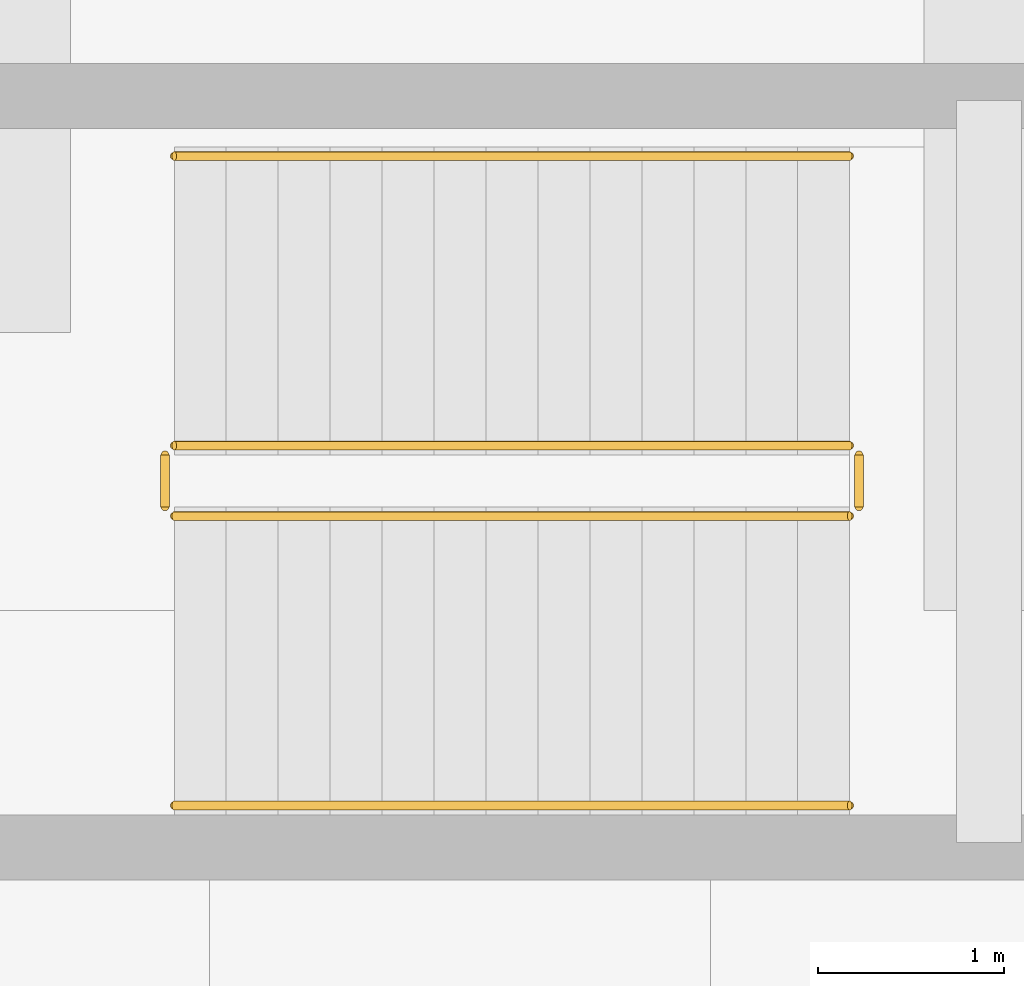
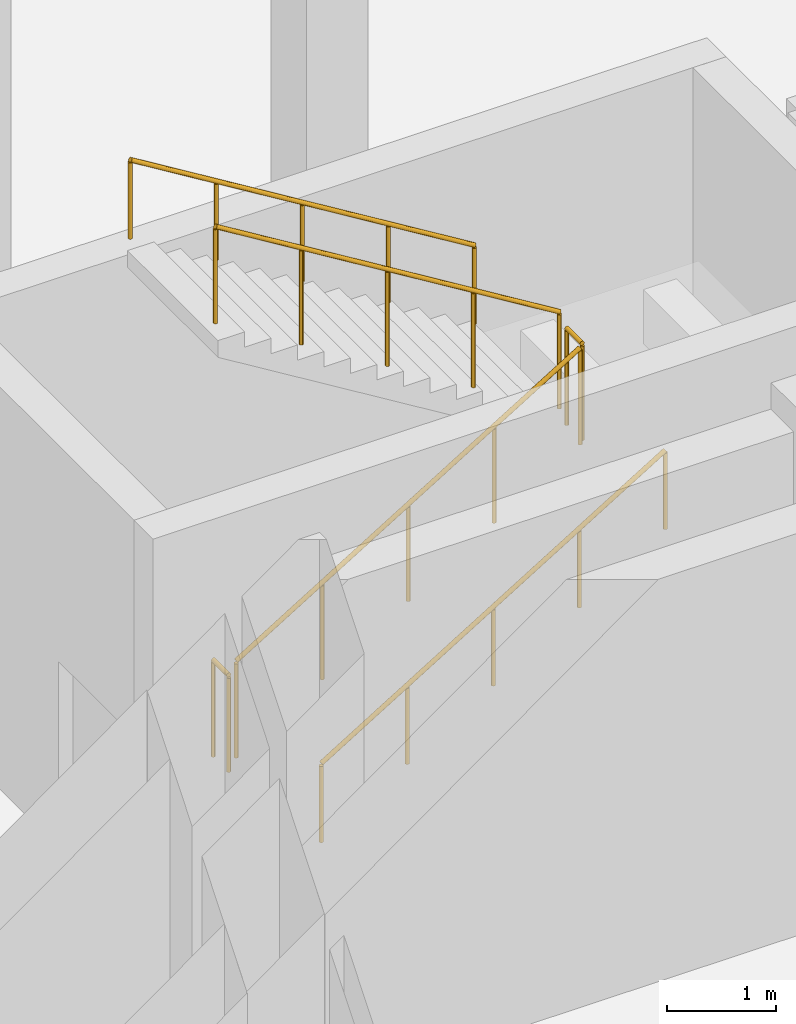
# One storey, part 28 of 29: 6 railings.
"""IFC4 building model written with IfcOpenShell, lengths in metres."""

import ifcopenshell
import ifcopenshell.guid

model = None  # the IFC model being written
_history = None  # IfcOwnerHistory: only IFC2X3 demands one
_inside = {}  # id of a spatial element -> (the spatial element, [elements in it])
_under = {}  # id of a project, library or spatial element -> (it, [spatial elements below it])
_declared = {}  # id of a project -> (the project, [libraries it declares])
_typed = {}  # id of a type object -> (the type object, [elements of that type])
_made_of = {}  # id of a material, layer set ... -> (it, [elements and type objects made of it])


def new_model(schema):
    """Start an empty IFC model of exactly this schema.

    Asked for "IFC4X3", IfcOpenShell would pick the latest addendum, in which some entities
    have other attributes; the version numbers below select the first issue.
    IFC2X3 requires an IfcOwnerHistory on every rooted entity: one is made here for all.
    """
    global model, _history
    if schema == "IFC4X3":
        model = ifcopenshell.file(schema_version=(4, 3, 0, 0))
    else:
        model = ifcopenshell.file(schema=schema)
    _inside.clear()
    _under.clear()
    _declared.clear()
    _typed.clear()
    _made_of.clear()
    _history = None
    if model.schema == "IFC2X3":
        org = make("IfcOrganization", Name="unknown")
        user = make(
            "IfcPersonAndOrganization",
            ThePerson=make("IfcPerson", FamilyName="unknown"),
            TheOrganization=org,
        )
        app = make(
            "IfcApplication",
            ApplicationDeveloper=org,
            Version="unknown",
            ApplicationFullName="unknown",
            ApplicationIdentifier="unknown",
        )
        _history = make(
            "IfcOwnerHistory",
            OwningUser=user,
            OwningApplication=app,
            ChangeAction="ADDED",
            CreationDate=0,
        )
    return model


def make(cls, **values):
    """One entity of the class cls with the attributes given. An attribute that is None is left unset."""
    return model.create_entity(
        cls, **{name: value for name, value in values.items() if value is not None}
    )


def rooted(cls, **values):
    """An entity with a GlobalId (a new one), such as an element, a storey or a relation."""
    return make(cls, GlobalId=ifcopenshell.guid.new(), OwnerHistory=_history, **values)


def si_unit(unit_type, name, prefix=None):
    """IfcSIUnit, for example si_unit("LENGTHUNIT", "METRE", prefix="MILLI")."""
    return make("IfcSIUnit", UnitType=unit_type, Prefix=prefix, Name=name)


def assignment(units):
    """IfcUnitAssignment: the units of a project."""
    return None if units is None else make("IfcUnitAssignment", Units=units)


def point(xyz):
    """IfcCartesianPoint."""
    return None if xyz is None else make("IfcCartesianPoint", Coordinates=xyz)


def direction(xyz):
    """IfcDirection."""
    return None if xyz is None else make("IfcDirection", DirectionRatios=xyz)


def frame(location, z_axis=None, x_axis=None):
    """IfcAxis2Placement3D, a coordinate frame: its origin and axes. An axis left out is left unset."""
    return make(
        "IfcAxis2Placement3D",
        Location=point(location),
        Axis=direction(z_axis),
        RefDirection=direction(x_axis),
    )


def frame_2d(location, x_axis=None):
    """IfcAxis2Placement2D, a coordinate frame in the plane: its origin and x axis."""
    return make(
        "IfcAxis2Placement2D", Location=point(location), RefDirection=direction(x_axis)
    )


def origin():
    """The frame at (0, 0, 0) with its axes left unset."""
    return frame((0.0, 0.0, 0.0))


def origin_2d():
    """The frame at (0, 0) in the plane with its x axis left unset."""
    return frame_2d((0.0, 0.0))


def place(relative_to, where):
    """IfcLocalPlacement: puts the frame where relative to a parent placement (None: the world)."""
    return make(
        "IfcLocalPlacement", PlacementRelTo=relative_to, RelativePlacement=where
    )


def context(
    kind, dimensions, precision=None, world=None, true_north=None, identifier=None
):
    """IfcGeometricRepresentationContext, for example the 3D "Model" context."""
    return make(
        "IfcGeometricRepresentationContext",
        ContextIdentifier=identifier,
        ContextType=kind,
        CoordinateSpaceDimension=dimensions,
        Precision=precision,
        WorldCoordinateSystem=world,
        TrueNorth=true_north,
    )


def subcontext(parent, identifier, kind, view, scale=None):
    """IfcGeometricRepresentationSubContext, for example "Body" below "Model"."""
    return make(
        "IfcGeometricRepresentationSubContext",
        ContextIdentifier=identifier,
        ContextType=kind,
        ParentContext=parent,
        TargetScale=scale,
        TargetView=view,
    )


def project(units=None, contexts=None):
    """IfcProject with its units and contexts."""
    return rooted(
        "IfcProject",
        Name="project",
        RepresentationContexts=contexts,
        UnitsInContext=assignment(units),
    )


def spatial(cls, under=None, at=None, **own):
    """A site, building, storey or space (cls), placed at a placement, below another one or the project."""
    s = rooted(cls, ObjectPlacement=at, **own)
    if under is not None:
        _under.setdefault(under.id(), (under, []))[1].append(s)
    return s


def profile(cls, at=None, kind="AREA", **sizes):
    """A parametric profile (cls). Its sizes go by their IFC names, for example OverallWidth=200.0."""
    return make(cls, ProfileType=kind, Position=at, **sizes)


def circle(**sizes):
    """IfcCircleProfileDef."""
    return profile("IfcCircleProfileDef", **sizes)


def extrude(swept, where, along, depth):
    """IfcExtrudedAreaSolid: the profile swept, set in the frame where, extruded along a direction by depth."""
    return make(
        "IfcExtrudedAreaSolid",
        SweptArea=swept,
        Position=where,
        ExtrudedDirection=direction(along),
        Depth=depth,
    )


def shape(context_of_items, identifier, shape_type, items):
    """IfcShapeRepresentation: the items that make up one representation, for example the "Body"."""
    return make(
        "IfcShapeRepresentation",
        ContextOfItems=context_of_items,
        RepresentationIdentifier=identifier,
        RepresentationType=shape_type,
        Items=items,
    )


def material(Name=None, Category=None):
    """IfcMaterial."""
    return make("IfcMaterial", Name=Name, Category=Category)


def made_of(thing, what):
    """Note that an element or type object is made of a material, layer set ...; save() writes the relation."""
    if what is not None:
        _made_of.setdefault(what.id(), (what, []))[1].append(thing)
    return thing


def type_object(cls, material=None, **own):
    """A type object (cls), such as IfcWallType, which elements share."""
    return made_of(rooted(cls, **own), material)


def element(
    cls,
    number,
    at=None,
    inside=None,
    cuts=None,
    type_object=None,
    material=None,
    context=None,
    identifier="Body",
    shape_type=None,
    held_by="IfcProductDefinitionShape",
    body=None,
    shapes=None,
    **own,
):
    """One element of the class cls, such as IfcWall. Its Tag is "e" and its number.

    at: its placement. inside: the storey or other place that contains it. cuts: it is an
    opening in that element (IfcRelVoidsElement). A single representation is given by context,
    identifier, shape_type and body (its items); several are given by shapes. held_by: the class
    of the entity that holds the representations. save() writes the other relations.
    """
    e = rooted(cls, Tag="e%d" % number, ObjectPlacement=at, **own)
    if body is not None:
        shapes = [shape(context, identifier, shape_type, body)]
    if shapes is not None:
        e.Representation = make(held_by, Representations=shapes)
    if inside is not None:
        _inside.setdefault(inside.id(), (inside, []))[1].append(e)
    if cuts is not None:
        rooted(
            "IfcRelVoidsElement", RelatingBuildingElement=cuts, RelatedOpeningElement=e
        )
    if type_object is not None:
        _typed.setdefault(type_object.id(), (type_object, []))[1].append(e)
    return made_of(e, material)


def aggregate(whole, parts):
    """IfcRelAggregates: a whole, such as a stair, and the parts it consists of."""
    return rooted("IfcRelAggregates", RelatingObject=whole, RelatedObjects=parts)


def save(model, path):
    """Write the relations noted so far, then the file.

    IfcRelAggregates (storeys below a building ...), IfcRelContainedInSpatialStructure (elements
    in a storey), IfcRelDefinesByType, IfcRelAssociatesMaterial and IfcRelDeclares: one each for
    every whole, place, type object, material and project.
    """
    for whole, parts in _under.values():
        aggregate(whole, parts)
    for where, things in _inside.values():
        rooted(
            "IfcRelContainedInSpatialStructure",
            RelatedElements=things,
            RelatingStructure=where,
        )
    for kind, things in _typed.values():
        rooted("IfcRelDefinesByType", RelatedObjects=things, RelatingType=kind)
    for what, things in _made_of.values():
        rooted("IfcRelAssociatesMaterial", RelatedObjects=things, RelatingMaterial=what)
    for by, libraries in _declared.values():
        rooted("IfcRelDeclares", RelatingContext=by, RelatedDefinitions=libraries)
    model.write(path)


model = new_model("IFC4")

# Units and contexts
model_context = context("Model", 3, precision=1e-05, world=origin(), true_north=direction((0.0, 1.0)))
body_context = subcontext(model_context, "Body", "Model", "MODEL_VIEW")
ifc_project = project(units=[si_unit("LENGTHUNIT", "METRE"), si_unit("AREAUNIT", "SQUARE_METRE"), si_unit("VOLUMEUNIT", "CUBIC_METRE"), si_unit("PLANEANGLEUNIT", "RADIAN"), si_unit("MASSUNIT", "GRAM", prefix="KILO")], contexts=[model_context])

# Site, building, storey
site_placement = place(None, origin())
site = spatial("IfcSite", under=ifc_project, at=site_placement, CompositionType="ELEMENT")
building_placement = place(site_placement, origin())
building = spatial("IfcBuilding", under=site, at=building_placement, Name="Kelarvand Opera House", CompositionType="ELEMENT")
storey_placement = place(building_placement, frame((0.0, 0.0, -9.60009765625)))
storey = spatial("IfcBuildingStorey", under=building, at=storey_placement, Name="B2", CompositionType="ELEMENT", Elevation=-9.60009765625)

# Railings
ifc_material_1 = material(Name="Brushed bronze tubular rail")
railing_type_1 = type_object("IfcRailingType", Name="Brushed Bronze Stair Wall Handrail 900", PredefinedType="HANDRAIL", material=ifc_material_1)
railing_1_placement = place(storey_placement, frame((117.659912109375, 89.050048828125, 0.171630859375)))
element("IfcRailing", 1, at=railing_1_placement, inside=storey, type_object=railing_type_1, Name="B2 ST-07 stair handrail 1", PredefinedType="HANDRAIL", context=body_context, shape_type="SweptSolid", body=[
    extrude(circle(Radius=0.02392578125, at=origin_2d()), frame((0.0, 0.0, 0.8759765625), z_axis=(0.852865859571, 0.0, 0.52213008492), x_axis=(0.0, 1.0, 0.0)), (0.0, 0.0, 1.0), 4.26806640625),
    extrude(circle(Radius=0.02099609375, at=origin_2d()), origin(), (0.0, 0.0, 1.0), 0.851806640625),
    extrude(circle(Radius=0.02099609375, at=origin_2d()), frame((0.91015625, 0.0, 0.55712890625)), (0.0, 0.0, 1.0), 0.851806640625),
    extrude(circle(Radius=0.02099609375, at=origin_2d()), frame((1.820068359375, 0.0, 1.1142578125)), (0.0, 0.0, 1.0), 0.851806640625),
    extrude(circle(Radius=0.02099609375, at=origin_2d()), frame((2.72998046875, 0.0, 1.67138671875)), (0.0, 0.0, 1.0), 0.851806640625),
    extrude(circle(Radius=0.02099609375, at=origin_2d()), frame((3.64013671875, 0.0, 2.228515625)), (0.0, 0.0, 1.0), 0.851806640625),
])
railing_2_placement = place(storey_placement, frame((121.300048828125, 92.550048828125, 2.571533203125)))
element("IfcRailing", 2, at=railing_2_placement, inside=storey, type_object=railing_type_1, Name="B2 ST-07 stair handrail 2", PredefinedType="HANDRAIL", context=body_context, shape_type="SweptSolid", body=[
    extrude(circle(Radius=0.02392578125, at=origin_2d()), frame((0.0, 0.0, 0.8759765625), z_axis=(-0.852865859571, 0.0, 0.52213008492), x_axis=(0.0, -1.0, 0.0)), (0.0, 0.0, 1.0), 4.26806640625),
    extrude(circle(Radius=0.02099609375, at=origin_2d()), origin(), (0.0, 0.0, 1.0), 0.851806640625),
    extrude(circle(Radius=0.02099609375, at=origin_2d()), frame((-0.91015625, 0.0, 0.55712890625)), (0.0, 0.0, 1.0), 0.851806640625),
    extrude(circle(Radius=0.02099609375, at=origin_2d()), frame((-1.820068359375, 0.0, 1.1142578125)), (0.0, 0.0, 1.0), 0.851806640625),
    extrude(circle(Radius=0.02099609375, at=origin_2d()), frame((-2.72998046875, 0.0, 1.67138671875)), (0.0, 0.0, 1.0), 0.851806640625),
    extrude(circle(Radius=0.02099609375, at=origin_2d()), frame((-3.64013671875, 0.0, 2.228515625)), (0.0, 0.0, 1.0), 0.851806640625),
])
ifc_material_2 = material(Name="Powder-coated Steel S355", Category="steel")
railing_type_2 = type_object("IfcRailingType", Name="Painted Steel Stair and Void Guardrail 1100", PredefinedType="GUARDRAIL", material=ifc_material_2)
railing_3_placement = place(storey_placement, frame((117.659912109375, 90.610107421875, 0.171630859375)))
element("IfcRailing", 3, at=railing_3_placement, inside=storey, type_object=railing_type_2, Name="B2 ST-07 stair guard 1", PredefinedType="GUARDRAIL", context=body_context, shape_type="SweptSolid", body=[
    extrude(circle(Radius=0.02392578125, at=origin_2d()), frame((0.0, 0.0, 1.076171875), z_axis=(0.852865859571, 0.0, 0.52213008492), x_axis=(0.0, 1.0, 0.0)), (0.0, 0.0, 1.0), 4.26806640625),
    extrude(circle(Radius=0.02099609375, at=origin_2d()), origin(), (0.0, 0.0, 1.0), 1.052001953125),
    extrude(circle(Radius=0.02099609375, at=origin_2d()), frame((0.91015625, 0.0, 0.55712890625)), (0.0, 0.0, 1.0), 1.052001953125),
    extrude(circle(Radius=0.02099609375, at=origin_2d()), frame((1.820068359375, 0.0, 1.1142578125)), (0.0, 0.0, 1.0), 1.052001953125),
    extrude(circle(Radius=0.02099609375, at=origin_2d()), frame((2.72998046875, 0.0, 1.67138671875)), (0.0, 0.0, 1.0), 1.052001953125),
    extrude(circle(Radius=0.02099609375, at=origin_2d()), frame((3.64013671875, 0.0, 2.228515625)), (0.0, 0.0, 1.0), 1.052001953125),
])
railing_4_placement = place(storey_placement, frame((121.35009765625, 90.659912109375, 2.400146484375)))
element("IfcRailing", 4, at=railing_4_placement, inside=storey, type_object=railing_type_2, Name="B2 ST-07 stair guard 2", PredefinedType="GUARDRAIL", context=body_context, shape_type="SweptSolid", body=[
    extrude(circle(Radius=0.02392578125, at=origin_2d()), frame((0.0, 0.0, 1.076171875), z_axis=(0.0, 1.0, 0.0), x_axis=(-1.0, 0.0, 0.0)), (0.0, 0.0, 1.0), 0.280029296875),
    extrude(circle(Radius=0.02099609375, at=origin_2d()), origin(), (0.0, 0.0, 1.0), 1.052001953125),
    extrude(circle(Radius=0.02099609375, at=origin_2d()), frame((0.0, 0.280029296875, 0.0)), (0.0, 0.0, 1.0), 1.052001953125),
])
railing_5_placement = place(storey_placement, frame((121.300048828125, 90.989990234375, 2.571533203125)))
element("IfcRailing", 5, at=railing_5_placement, inside=storey, type_object=railing_type_2, Name="B2 ST-07 stair guard 3", PredefinedType="GUARDRAIL", context=body_context, shape_type="SweptSolid", body=[
    extrude(circle(Radius=0.02392578125, at=origin_2d()), frame((0.0, 0.0, 1.076171875), z_axis=(-0.852865859571, 0.0, 0.52213008492), x_axis=(0.0, -1.0, 0.0)), (0.0, 0.0, 1.0), 4.26806640625),
    extrude(circle(Radius=0.02099609375, at=origin_2d()), origin(), (0.0, 0.0, 1.0), 1.052001953125),
    extrude(circle(Radius=0.02099609375, at=origin_2d()), frame((-0.91015625, 0.0, 0.55712890625)), (0.0, 0.0, 1.0), 1.052001953125),
    extrude(circle(Radius=0.02099609375, at=origin_2d()), frame((-1.820068359375, 0.0, 1.1142578125)), (0.0, 0.0, 1.0), 1.052001953125),
    extrude(circle(Radius=0.02099609375, at=origin_2d()), frame((-2.72998046875, 0.0, 1.67138671875)), (0.0, 0.0, 1.0), 1.052001953125),
    extrude(circle(Radius=0.02099609375, at=origin_2d()), frame((-3.64013671875, 0.0, 2.228515625)), (0.0, 0.0, 1.0), 1.052001953125),
])
railing_6_placement = place(storey_placement, frame((117.610107421875, 90.659912109375, 0.0)))
element("IfcRailing", 6, at=railing_6_placement, inside=storey, type_object=railing_type_2, Name="B2 ST-07 stair guard 4", PredefinedType="GUARDRAIL", context=body_context, shape_type="SweptSolid", body=[
    extrude(circle(Radius=0.02392578125, at=origin_2d()), frame((0.0, 0.0, 1.076171875), z_axis=(0.0, 1.0, 0.0), x_axis=(-1.0, 0.0, 0.0)), (0.0, 0.0, 1.0), 0.280029296875),
    extrude(circle(Radius=0.02099609375, at=origin_2d()), origin(), (0.0, 0.0, 1.0), 1.052001953125),
    extrude(circle(Radius=0.02099609375, at=origin_2d()), frame((0.0, 0.280029296875, 0.0)), (0.0, 0.0, 1.0), 1.052001953125),
])

save(model, "model.ifc")
